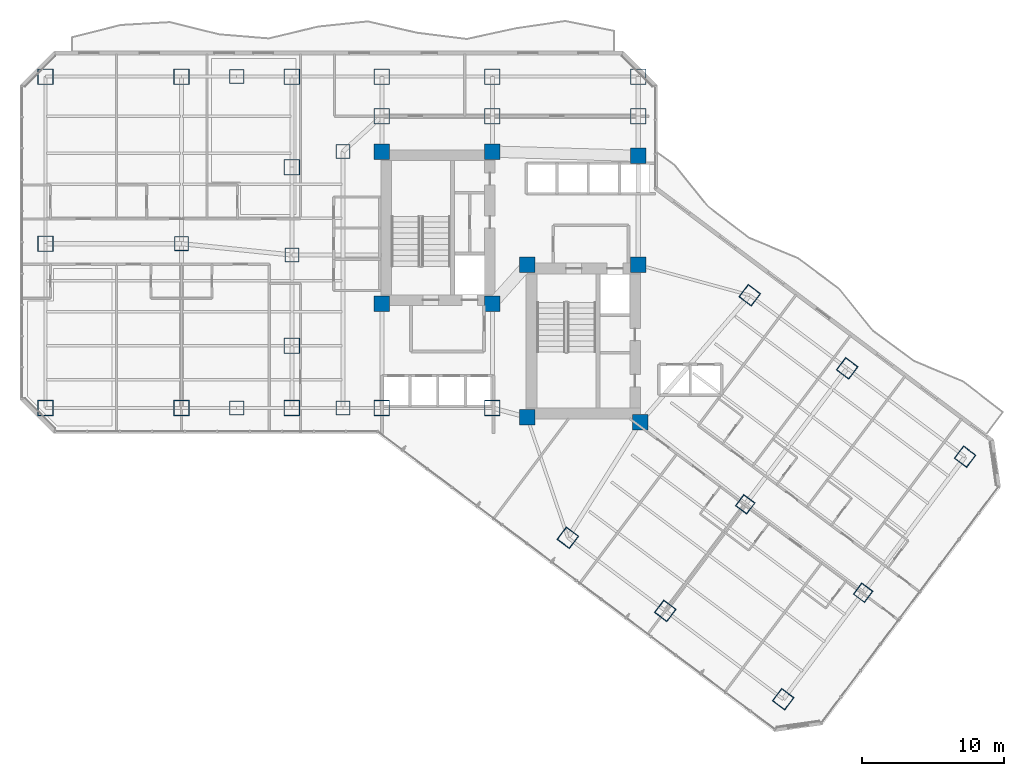
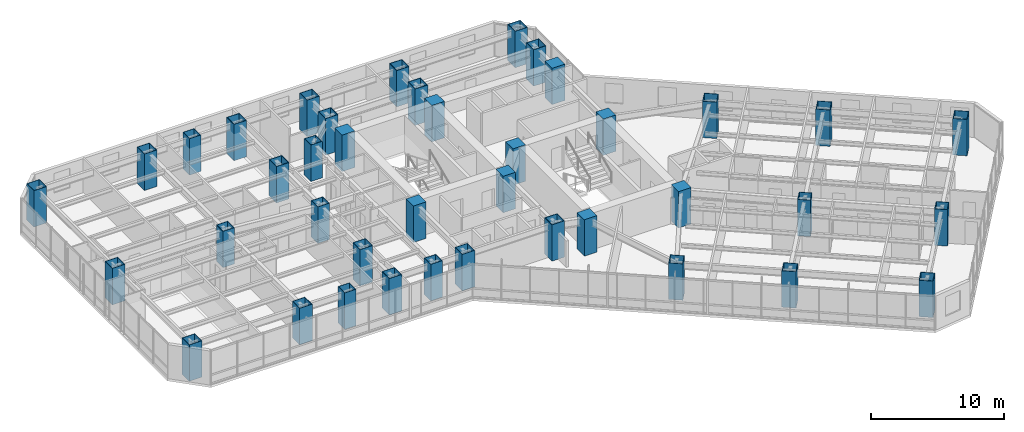
# One storey, part 1 of 38: 40 columns.
"""IFC4 building model written with IfcOpenShell, lengths in metres."""

from ifc_helpers import new_model, si_unit, direction, frame, origin, origin_2d, place, context, subcontext, project, spatial, rectangle, hollow_rectangle, extrude, material, material_profile, profile_set, type_object, element, save


model = new_model("IFC4")

# Units and contexts
model_context = context("Model", 3, precision=1e-05, world=origin(), true_north=direction((0.0, 1.0)))
body_context = subcontext(model_context, "Body", "Model", "MODEL_VIEW")
ifc_project = project(units=[si_unit("LENGTHUNIT", "METRE"), si_unit("AREAUNIT", "SQUARE_METRE"), si_unit("VOLUMEUNIT", "CUBIC_METRE"), si_unit("PLANEANGLEUNIT", "RADIAN"), si_unit("MASSUNIT", "GRAM", prefix="KILO")], contexts=[model_context])

# Site, building, storey
site_placement = place(None, origin())
site = spatial("IfcSite", under=ifc_project, at=site_placement, CompositionType="ELEMENT")
building_placement = place(site_placement, origin())
building = spatial("IfcBuilding", under=site, at=building_placement, Name="Hatsunagi Terrace Concourse", CompositionType="ELEMENT")
storey_placement = place(building_placement, frame((0.0, 0.0, 63.39990234375)))
storey = spatial("IfcBuildingStorey", under=building, at=storey_placement, Name="L16", CompositionType="ELEMENT", Elevation=63.39990234375)

# Columns
ifc_material_1 = material(Name="Concrete Fc60", Category="concrete")
ifc_material_profile_1 = material_profile(ifc_material_1, rectangle(XDim=1.10009765625, YDim=1.10009765625, at=origin_2d()), Name="RC-1100x1100")
ifc_profile_set_1 = profile_set([ifc_material_profile_1], Name="Concrete Fc60")
column_type_1 = type_object("IfcColumnType", Name="CoreColumn_RC_1100x1100", PredefinedType="COLUMN", material=ifc_profile_set_1)
for number, where, z_axis, x_axis, name in (
    (1, (25.550048828125, 32.550048828125, 0.0), (0.0, 0.0, 1.0), (1.0, 0.0, 0.0), "Column C-01 L16-CASW"),
    (2, (33.35009765625, 32.550048828125, 0.0), (0.0, 0.0, 1.0), (1.0, 0.0, 0.0), "Column C-01 L16-CASE"),
    (3, (25.550048828125, 43.300048828125, 0.0), (0.0, 0.0, 1.0), (1.0, 0.0, 0.0), "Column C-01 L16-CANW"),
    (4, (33.35009765625, 43.300048828125, 0.0), (0.0, 0.0, 1.0), (1.0, 0.0, 0.0), "Column C-01 L16-CANE"),
    (5, (35.800048828125, 24.550048828125, 0.0), (0.0, 0.0, 1.0), (1.0, 0.0, 0.0), "Column C-01 L16-CBSW"),
    (6, (43.800048828125, 24.199951171875, 0.0), (0.0, 0.0, 1.0), (1.0, 0.0, 0.0), "Column C-01 L16-CBSE"),
    (7, (35.800048828125, 35.300048828125, 0.0), (0.0, 0.0, 1.0), (1.0, 0.0, 0.0), "Column C-01 L16-CBNW"),
    (8, (43.64990234375, 35.300048828125, 0.0), (0.0, 0.0, 1.0), (1.0, 0.0, 0.0), "Column C-01 L16-CBNE"),
    (9, (43.64990234375, 43.0, 0.0), (0.0, 0.0, 1.0), (1.0, 0.0, 0.0), "Column C-01 L16-K3"),
):
    element("IfcColumn", number, at=place(storey_placement, frame(where, z_axis=z_axis, x_axis=x_axis)), inside=storey, type_object=column_type_1, Name=name, PredefinedType="COLUMN", context=body_context, shape_type="SweptSolid", body=[
        extrude(rectangle(XDim=1.10009765625, YDim=1.10009765625, at=origin_2d()), origin(), (0.0, 0.0, 1.0), 3.35009765625),
    ])
ifc_material_2 = material(Name="Steel BCP325T", Category="steel")
ifc_material_profile_2 = material_profile(ifc_material_2, hollow_rectangle(XDim=1.10009765625, YDim=1.10009765625, WallThickness=0.0400390625, at=origin_2d()), Name="BCP-1100x1100x40")
ifc_profile_set_2 = profile_set([ifc_material_profile_2], Name="Steel BCP325T")
column_type_2 = type_object("IfcColumnType", Name="MegaColumn_BCP_1100x1100x40", PredefinedType="COLUMN", material=ifc_profile_set_2)
for number, where, z_axis, x_axis, name in (
    (10, (25.550048828125, 25.199951171875, 0.0), (0.0, 0.0, 1.0), (1.0, 0.0, 0.0), "Mega column MC-02 L16-K1"),
    (11, (33.35009765625, 25.199951171875, 0.0), (0.0, 0.0, 1.0), (1.0, 0.0, 0.0), "Mega column MC-02 L16-K2"),
    (12, (25.550048828125, 45.800048828125, 0.0), (0.0, 0.0, 1.0), (1.0, 0.0, 0.0), "Mega column MC-02 L16-CN1"),
    (13, (33.35009765625, 45.800048828125, 0.0), (0.0, 0.0, 1.0), (1.0, 0.0, 0.0), "Mega column MC-02 L16-CN2"),
    (14, (43.64990234375, 45.800048828125, 0.0), (0.0, 0.0, 1.0), (1.0, 0.0, 0.0), "Mega column MC-02 L16-CN3"),
    (15, (1.800048828125, 25.199951171875, 0.0), (0.0, 0.0, 1.0), (1.0, 0.0, 0.0), "Mega column MC-02 L16-WS1"),
    (16, (1.800048828125, 48.60009765625, 0.0), (0.0, 0.0, 1.0), (1.0, 0.0, 0.0), "Mega column MC-02 L16-WN1"),
    (17, (1.800048828125, 36.800048828125, 0.0), (0.0, 0.0, 1.0), (1.0, 0.0, 0.0), "Mega column MC-02 L16-WM0"),
    (18, (11.39990234375, 25.199951171875, 0.0), (0.0, 0.0, 1.0), (1.0, 0.0, 0.0), "Mega column MC-02 L16-WS2"),
    (19, (11.39990234375, 48.60009765625, 0.0), (0.0, 0.0, 1.0), (1.0, 0.0, 0.0), "Mega column MC-02 L16-WN2"),
    (20, (19.199951171875, 48.60009765625, 0.0), (0.0, 0.0, 1.0), (1.0, 0.0, 0.0), "Mega column MC-02 L16-WN3"),
    (21, (25.550048828125, 48.60009765625, 0.0), (0.0, 0.0, 1.0), (1.0, 0.0, 0.0), "Mega column MC-02 L16-WN4"),
    (22, (33.35009765625, 48.60009765625, 0.0), (0.0, 0.0, 1.0), (1.0, 0.0, 0.0), "Mega column MC-02 L16-WN5"),
    (23, (43.64990234375, 48.60009765625, 0.0), (0.0, 0.0, 1.0), (1.0, 0.0, 0.0), "Mega column MC-02 L16-WN6"),
    (24, (19.199951171875, 25.199951171875, 0.0), (0.0, 0.0, 1.0), (1.0, 0.0, 0.0), "Mega column MC-02 L16-WS3"),
    (25, (19.199951171875, 29.60009765625, 0.0), (0.0, 0.0, 1.0), (1.0, 0.0, 0.0), "Mega column MC-02 L16-WR1"),
    (26, (19.199951171875, 42.199951171875, 0.0), (0.0, 0.0, 1.0), (1.0, 0.0, 0.0), "Mega column MC-02 L16-WR2"),
    (27, (38.679931640625, 16.0400390625, 0.0), (0.0, 0.0, 1.0), (0.799999996291, -0.600000004945, 0.0), "Mega column MC-02 L16-SES1"),
    (28, (51.52001953125, 33.159912109375, 0.0), (0.0, 0.0, 1.0), (0.799999996291, -0.600000004945, 0.0), "Mega column MC-02 L16-SEN1"),
    (29, (45.56005859375, 10.8798828125, 0.0), (0.0, 0.0, 1.0), (0.799999996291, -0.600000004945, 0.0), "Mega column MC-02 L16-SES2"),
    (30, (58.39990234375, 28.0, 0.0), (0.0, 0.0, 1.0), (0.799999996291, -0.600000004945, 0.0), "Mega column MC-02 L16-SEN2"),
    (31, (53.8798828125, 4.639892578125, 0.0), (0.0, 0.0, 1.0), (0.799999996291, -0.600000004945, 0.0), "Mega column MC-02 L16-SES3"),
    (32, (66.719970703125, 21.760009765625, 0.0), (0.0, 0.0, 1.0), (0.799999996291, -0.600000004945, 0.0), "Mega column MC-02 L16-SEN3"),
):
    element("IfcColumn", number, at=place(storey_placement, frame(where, z_axis=z_axis, x_axis=x_axis)), inside=storey, type_object=column_type_2, Name=name, PredefinedType="COLUMN", context=body_context, shape_type="SweptSolid", body=[
        extrude(hollow_rectangle(XDim=1.10009765625, YDim=1.10009765625, WallThickness=0.0400390625, at=origin_2d()), origin(), (0.0, 0.0, 1.0), 3.35009765625),
    ])
ifc_material_3 = material(Name="Steel BCP325T", Category="steel")
ifc_material_profile_3 = material_profile(ifc_material_3, hollow_rectangle(XDim=1.0, YDim=1.0, WallThickness=0.0380859375, at=origin_2d()), Name="BCP-1000x1000x38")
ifc_profile_set_3 = profile_set([ifc_material_profile_3], Name="Steel BCP325T")
column_type_3 = type_object("IfcColumnType", Name="TowerBoxColumn_1000x1000x38", PredefinedType="COLUMN", material=ifc_profile_set_3)
for number, where, z_axis, x_axis, name in (
    (33, (22.800048828125, 25.199951171875, 0.0), (0.0, 0.0, 1.0), (1.0, 0.0, 0.0), "Column C-03 L16-CW1"),
    (34, (22.800048828125, 43.300048828125, 0.0), (0.0, 0.0, 1.0), (1.0, 0.0, 0.0), "Column C-03 L16-CW2"),
    (35, (11.39990234375, 36.800048828125, 0.0), (0.0, 0.0, 1.0), (1.0, 0.0, 0.0), "Column C-03 L16-WT1"),
    (36, (19.199951171875, 36.0, 0.0), (0.0, 0.0, 1.0), (1.0, 0.0, 0.0), "Column C-03 L16-WT2"),
    (37, (15.300048828125, 25.199951171875, 0.0), (0.0, 0.0, 1.0), (1.0, 0.0, 0.0), "Column C-03 L16-WT3"),
    (38, (15.300048828125, 48.60009765625, 0.0), (0.0, 0.0, 1.0), (1.0, 0.0, 0.0), "Column C-03 L16-WT4"),
    (39, (51.199951171875, 18.39990234375, 0.0), (0.0, 0.0, 1.0), (0.799999996291, -0.600000004945, 0.0), "Column C-03 L16-SEM2"),
    (40, (59.52001953125, 12.159912109375, 0.0), (0.0, 0.0, 1.0), (0.799999996291, -0.600000004945, 0.0), "Column C-03 L16-SEM3"),
):
    element("IfcColumn", number, at=place(storey_placement, frame(where, z_axis=z_axis, x_axis=x_axis)), inside=storey, type_object=column_type_3, Name=name, PredefinedType="COLUMN", context=body_context, shape_type="SweptSolid", body=[
        extrude(hollow_rectangle(XDim=1.0, YDim=1.0, WallThickness=0.0380859375, at=origin_2d()), origin(), (0.0, 0.0, 1.0), 3.35009765625),
    ])

save(model, "model.ifc")
